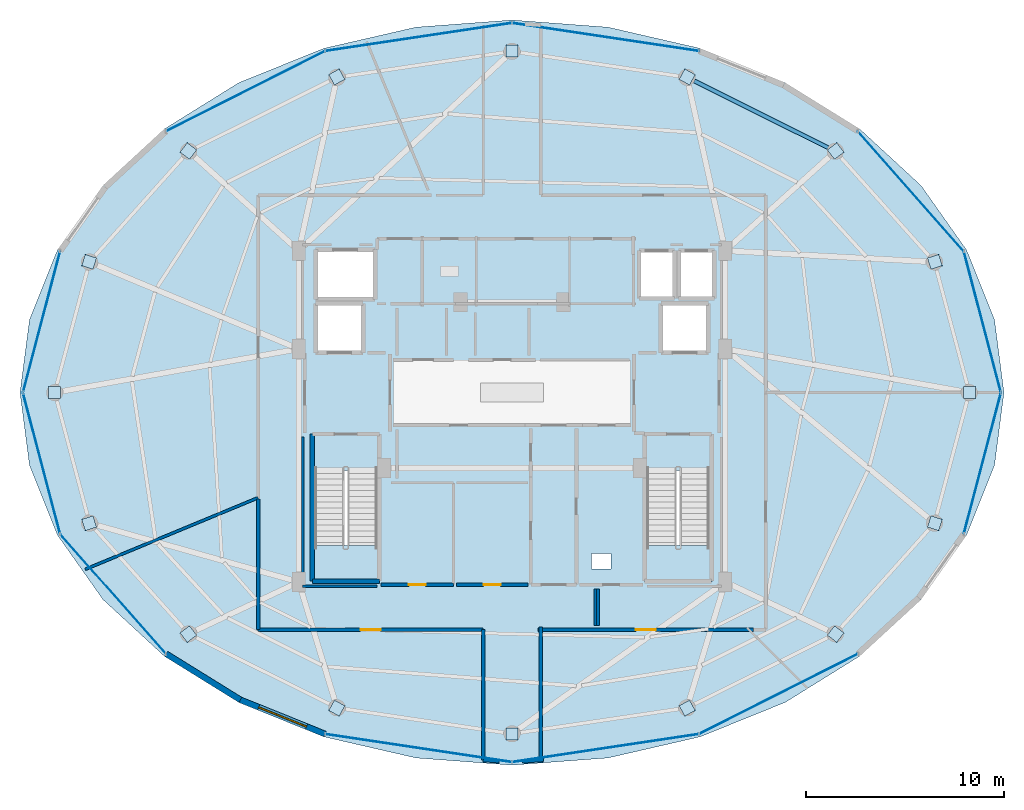
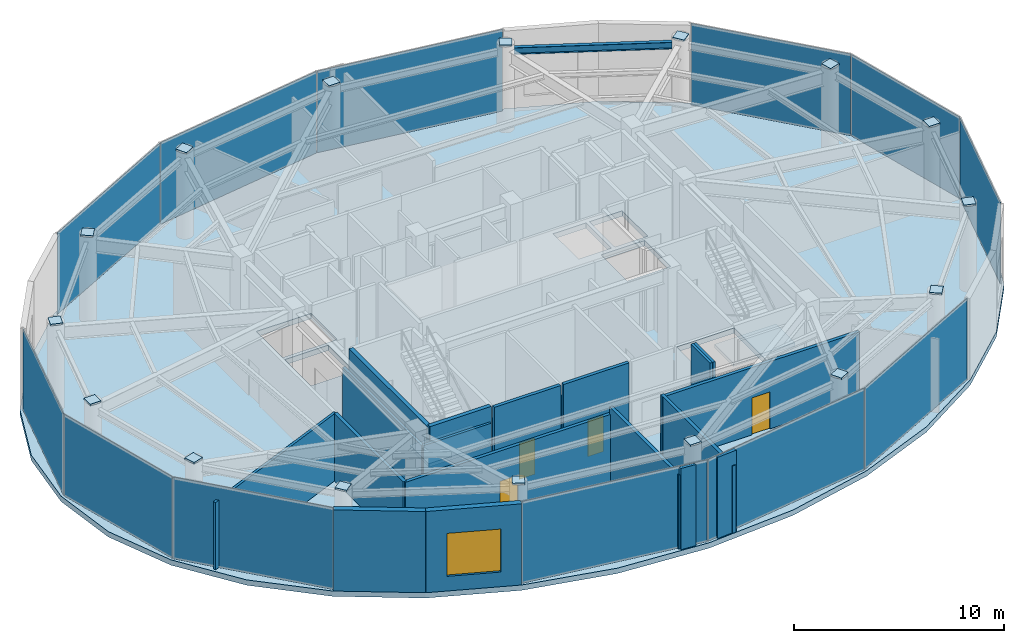
# One storey, part 19 of 24: 28 plates, 18 walls, 4 doors, 3 slabs, 1 beam, 1 window, 5 openings, 6 elements without a shape of their own.
"""IFC4 building model written with IfcOpenShell, lengths in metres."""

import ifcopenshell
import ifcopenshell.guid

model = None  # the IFC model being written
_history = None  # IfcOwnerHistory: only IFC2X3 demands one
_inside = {}  # id of a spatial element -> (the spatial element, [elements in it])
_under = {}  # id of a project, library or spatial element -> (it, [spatial elements below it])
_declared = {}  # id of a project -> (the project, [libraries it declares])
_typed = {}  # id of a type object -> (the type object, [elements of that type])
_made_of = {}  # id of a material, layer set ... -> (it, [elements and type objects made of it])


def new_model(schema):
    """Start an empty IFC model of exactly this schema.

    Asked for "IFC4X3", IfcOpenShell would pick the latest addendum, in which some entities
    have other attributes; the version numbers below select the first issue.
    IFC2X3 requires an IfcOwnerHistory on every rooted entity: one is made here for all.
    """
    global model, _history
    if schema == "IFC4X3":
        model = ifcopenshell.file(schema_version=(4, 3, 0, 0))
    else:
        model = ifcopenshell.file(schema=schema)
    _inside.clear()
    _under.clear()
    _declared.clear()
    _typed.clear()
    _made_of.clear()
    _history = None
    if model.schema == "IFC2X3":
        org = make("IfcOrganization", Name="unknown")
        user = make(
            "IfcPersonAndOrganization",
            ThePerson=make("IfcPerson", FamilyName="unknown"),
            TheOrganization=org,
        )
        app = make(
            "IfcApplication",
            ApplicationDeveloper=org,
            Version="unknown",
            ApplicationFullName="unknown",
            ApplicationIdentifier="unknown",
        )
        _history = make(
            "IfcOwnerHistory",
            OwningUser=user,
            OwningApplication=app,
            ChangeAction="ADDED",
            CreationDate=0,
        )
    return model


def make(cls, **values):
    """One entity of the class cls with the attributes given. An attribute that is None is left unset."""
    return model.create_entity(
        cls, **{name: value for name, value in values.items() if value is not None}
    )


def rooted(cls, **values):
    """An entity with a GlobalId (a new one), such as an element, a storey or a relation."""
    return make(cls, GlobalId=ifcopenshell.guid.new(), OwnerHistory=_history, **values)


def si_unit(unit_type, name, prefix=None):
    """IfcSIUnit, for example si_unit("LENGTHUNIT", "METRE", prefix="MILLI")."""
    return make("IfcSIUnit", UnitType=unit_type, Prefix=prefix, Name=name)


def assignment(units):
    """IfcUnitAssignment: the units of a project."""
    return None if units is None else make("IfcUnitAssignment", Units=units)


def point(xyz):
    """IfcCartesianPoint."""
    return None if xyz is None else make("IfcCartesianPoint", Coordinates=xyz)


def direction(xyz):
    """IfcDirection."""
    return None if xyz is None else make("IfcDirection", DirectionRatios=xyz)


def frame(location, z_axis=None, x_axis=None):
    """IfcAxis2Placement3D, a coordinate frame: its origin and axes. An axis left out is left unset."""
    return make(
        "IfcAxis2Placement3D",
        Location=point(location),
        Axis=direction(z_axis),
        RefDirection=direction(x_axis),
    )


def frame_2d(location, x_axis=None):
    """IfcAxis2Placement2D, a coordinate frame in the plane: its origin and x axis."""
    return make(
        "IfcAxis2Placement2D", Location=point(location), RefDirection=direction(x_axis)
    )


def origin():
    """The frame at (0, 0, 0) with its axes left unset."""
    return frame((0.0, 0.0, 0.0))


def origin_2d():
    """The frame at (0, 0) in the plane with its x axis left unset."""
    return frame_2d((0.0, 0.0))


def place(relative_to, where):
    """IfcLocalPlacement: puts the frame where relative to a parent placement (None: the world)."""
    return make(
        "IfcLocalPlacement", PlacementRelTo=relative_to, RelativePlacement=where
    )


def context(
    kind, dimensions, precision=None, world=None, true_north=None, identifier=None
):
    """IfcGeometricRepresentationContext, for example the 3D "Model" context."""
    return make(
        "IfcGeometricRepresentationContext",
        ContextIdentifier=identifier,
        ContextType=kind,
        CoordinateSpaceDimension=dimensions,
        Precision=precision,
        WorldCoordinateSystem=world,
        TrueNorth=true_north,
    )


def subcontext(parent, identifier, kind, view, scale=None):
    """IfcGeometricRepresentationSubContext, for example "Body" below "Model"."""
    return make(
        "IfcGeometricRepresentationSubContext",
        ContextIdentifier=identifier,
        ContextType=kind,
        ParentContext=parent,
        TargetScale=scale,
        TargetView=view,
    )


def project(units=None, contexts=None):
    """IfcProject with its units and contexts."""
    return rooted(
        "IfcProject",
        Name="project",
        RepresentationContexts=contexts,
        UnitsInContext=assignment(units),
    )


def spatial(cls, under=None, at=None, **own):
    """A site, building, storey or space (cls), placed at a placement, below another one or the project."""
    s = rooted(cls, ObjectPlacement=at, **own)
    if under is not None:
        _under.setdefault(under.id(), (under, []))[1].append(s)
    return s


def polyline(points):
    """IfcPolyline through the points."""
    return make("IfcPolyline", Points=[point(p) for p in points])


def profile(cls, at=None, kind="AREA", **sizes):
    """A parametric profile (cls). Its sizes go by their IFC names, for example OverallWidth=200.0."""
    return make(cls, ProfileType=kind, Position=at, **sizes)


def rectangle(**sizes):
    """IfcRectangleProfileDef."""
    return profile("IfcRectangleProfileDef", **sizes)


def i_section(**sizes):
    """IfcIShapeProfileDef."""
    return profile("IfcIShapeProfileDef", **sizes)


def outline(outer, holes=None, kind="AREA"):
    """IfcArbitraryClosedProfileDef: a profile drawn as a closed curve; with holes, ...WithVoids."""
    if holes is None:
        return make("IfcArbitraryClosedProfileDef", ProfileType=kind, OuterCurve=outer)
    return make(
        "IfcArbitraryProfileDefWithVoids",
        ProfileType=kind,
        OuterCurve=outer,
        InnerCurves=holes,
    )


def extrude(swept, where, along, depth):
    """IfcExtrudedAreaSolid: the profile swept, set in the frame where, extruded along a direction by depth."""
    return make(
        "IfcExtrudedAreaSolid",
        SweptArea=swept,
        Position=where,
        ExtrudedDirection=direction(along),
        Depth=depth,
    )


def shape(context_of_items, identifier, shape_type, items):
    """IfcShapeRepresentation: the items that make up one representation, for example the "Body"."""
    return make(
        "IfcShapeRepresentation",
        ContextOfItems=context_of_items,
        RepresentationIdentifier=identifier,
        RepresentationType=shape_type,
        Items=items,
    )


def material(Name=None, Category=None):
    """IfcMaterial."""
    return make("IfcMaterial", Name=Name, Category=Category)


def layer(
    of_material, thickness, ventilated=None, Name=None, Category=None, Priority=None
):
    """IfcMaterialLayer: one layer of a wall or slab, of a material (None: an air gap)."""
    return make(
        "IfcMaterialLayer",
        Material=of_material,
        LayerThickness=thickness,
        IsVentilated=ventilated,
        Name=Name,
        Category=Category,
        Priority=Priority,
    )


def layer_set(layers, Name=None):
    """IfcMaterialLayerSet."""
    return make("IfcMaterialLayerSet", MaterialLayers=layers, LayerSetName=Name)


def material_profile(
    of_material, cross_section, Name=None, Category=None, Priority=None
):
    """IfcMaterialProfile: a cross section and its material."""
    return make(
        "IfcMaterialProfile",
        Name=Name,
        Material=of_material,
        Profile=cross_section,
        Priority=Priority,
        Category=Category,
    )


def profile_set(profiles, Name=None, composite=None):
    """IfcMaterialProfileSet."""
    return make(
        "IfcMaterialProfileSet",
        Name=Name,
        MaterialProfiles=profiles,
        CompositeProfile=composite,
    )


def made_of(thing, what):
    """Note that an element or type object is made of a material, layer set ...; save() writes the relation."""
    if what is not None:
        _made_of.setdefault(what.id(), (what, []))[1].append(thing)
    return thing


def type_object(cls, material=None, **own):
    """A type object (cls), such as IfcWallType, which elements share."""
    return made_of(rooted(cls, **own), material)


def element(
    cls,
    number,
    at=None,
    inside=None,
    cuts=None,
    type_object=None,
    material=None,
    context=None,
    identifier="Body",
    shape_type=None,
    held_by="IfcProductDefinitionShape",
    body=None,
    shapes=None,
    **own,
):
    """One element of the class cls, such as IfcWall. Its Tag is "e" and its number.

    at: its placement. inside: the storey or other place that contains it. cuts: it is an
    opening in that element (IfcRelVoidsElement). A single representation is given by context,
    identifier, shape_type and body (its items); several are given by shapes. held_by: the class
    of the entity that holds the representations. save() writes the other relations.
    """
    e = rooted(cls, Tag="e%d" % number, ObjectPlacement=at, **own)
    if body is not None:
        shapes = [shape(context, identifier, shape_type, body)]
    if shapes is not None:
        e.Representation = make(held_by, Representations=shapes)
    if inside is not None:
        _inside.setdefault(inside.id(), (inside, []))[1].append(e)
    if cuts is not None:
        rooted(
            "IfcRelVoidsElement", RelatingBuildingElement=cuts, RelatedOpeningElement=e
        )
    if type_object is not None:
        _typed.setdefault(type_object.id(), (type_object, []))[1].append(e)
    return made_of(e, material)


def fill(opening, filler):
    """IfcRelFillsElement: the door or window that sits in an opening."""
    return rooted(
        "IfcRelFillsElement",
        RelatingOpeningElement=opening,
        RelatedBuildingElement=filler,
    )


def aggregate(whole, parts):
    """IfcRelAggregates: a whole, such as a stair, and the parts it consists of."""
    return rooted("IfcRelAggregates", RelatingObject=whole, RelatedObjects=parts)


def save(model, path):
    """Write the relations noted so far, then the file.

    IfcRelAggregates (storeys below a building ...), IfcRelContainedInSpatialStructure (elements
    in a storey), IfcRelDefinesByType, IfcRelAssociatesMaterial and IfcRelDeclares: one each for
    every whole, place, type object, material and project.
    """
    for whole, parts in _under.values():
        aggregate(whole, parts)
    for where, things in _inside.values():
        rooted(
            "IfcRelContainedInSpatialStructure",
            RelatedElements=things,
            RelatingStructure=where,
        )
    for kind, things in _typed.values():
        rooted("IfcRelDefinesByType", RelatedObjects=things, RelatingType=kind)
    for what, things in _made_of.values():
        rooted("IfcRelAssociatesMaterial", RelatedObjects=things, RelatingMaterial=what)
    for by, libraries in _declared.values():
        rooted("IfcRelDeclares", RelatingContext=by, RelatedDefinitions=libraries)
    model.write(path)


model = new_model("IFC4")

# Units and contexts
model_context = context("Model", 3, precision=1e-05, world=origin(), true_north=direction((0.0, 1.0)))
body_context = subcontext(model_context, "Body", "Model", "MODEL_VIEW")
ifc_project = project(units=[si_unit("LENGTHUNIT", "METRE"), si_unit("AREAUNIT", "SQUARE_METRE"), si_unit("VOLUMEUNIT", "CUBIC_METRE"), si_unit("PLANEANGLEUNIT", "RADIAN"), si_unit("MASSUNIT", "GRAM", prefix="KILO")], contexts=[model_context])

# Site, building, storey
site_placement = place(None, origin())
site = spatial("IfcSite", under=ifc_project, at=site_placement, CompositionType="ELEMENT")
building_placement = place(site_placement, origin())
building = spatial("IfcBuilding", under=site, at=building_placement, Name="Vorneva Point Tower", CompositionType="ELEMENT")
storey_placement = place(building_placement, frame((0.0, 0.0, 290.39990234375)))
storey = spatial("IfcBuildingStorey", under=building, at=storey_placement, Name="L78", CompositionType="ELEMENT", Elevation=290.39990234375)

# Beam
ifc_material_1 = material(Name="Steel S355", Category="steel")
ifc_material_profile = material_profile(ifc_material_1, i_section(OverallWidth=0.198974609375, OverallDepth=0.39599609375, WebThickness=0.007080078125, FlangeThickness=0.010986328125, at=origin_2d()), Name="40B1")
ifc_profile_set = profile_set([ifc_material_profile], Name="Steel S355")
beam_type = type_object("IfcBeamType", Name="BM-SPN-40B1", PredefinedType="SPANDREL", material=ifc_profile_set)
beam_placement = place(storey_placement, frame((53.931884765625, 38.34521484375, 4.522216796875), z_axis=(-0.894932011528, 0.446202526599, 0.0), x_axis=(-0.446202526599, -0.894932011528, 0.0)))
element("IfcBeam", 1, at=beam_placement, inside=storey, type_object=beam_type, Name="L78 Perimeter Spandrel Ring Beam 03", PredefinedType="SPANDREL", context=body_context, shape_type="SweptSolid", body=[
    extrude(i_section(OverallWidth=0.198974609375, OverallDepth=0.39599609375, WebThickness=0.007080078125, FlangeThickness=0.010986328125, at=origin_2d()), origin(), (0.0, 0.0, 1.0), 7.535888671875),
])

# Curtain wall, plates
ifc_material_2 = material(Name="Pale anodised aluminium", Category="aluminium")
curtain_wall_type = type_object("IfcCurtainWallType", Name="CW-OBS-SYS", PredefinedType="NOTDEFINED", material=ifc_material_2)
curtain_wall_1_placement = place(storey_placement, origin())
curtain_wall_1 = element("IfcCurtainWall", 2, at=curtain_wall_1_placement, inside=storey, type_object=curtain_wall_type, Name="L78 Unitised Curtain Wall CW-L78-R01", PredefinedType="NOTDEFINED")
ifc_material_3 = material(Name="Double low-e laminated glass IGU", Category="glass")
ifc_layer_1 = layer(ifc_material_3, 0.035888671875)
ifc_layer_set_1 = layer_set([ifc_layer_1], Name="Double low-e laminated glass IGU")
plate_type_1 = type_object("IfcPlateType", Name="CW-PNL-VIS", PredefinedType="CURTAIN_PANEL", material=ifc_layer_set_1)
plate_1_placement = place(storey_placement, frame((61.7119140625, 22.435302734375, -0.02001953125), z_axis=(0.0, 0.0, 1.0), x_axis=(0.254517556558, 0.967068153443, 0.0)))
plate_1 = element("IfcPlate", 3, at=plate_1_placement, type_object=plate_type_1, Name="CW-L78-R01 Glazed Panel 01", PredefinedType="CURTAIN_PANEL", context=body_context, shape_type="SweptSolid", body=[
    extrude(rectangle(XDim=7.322265625, YDim=0.035888671875, at=origin_2d()), origin(), (0.0, 0.0, 1.0), 4.760009765625),
])
plate_2_placement = place(storey_placement, frame((61.7119140625, 29.564697265625, -0.02001953125), z_axis=(0.0, 0.0, 1.0), x_axis=(-0.254517556558, 0.967068153443, 0.0)))
plate_2 = element("IfcPlate", 4, at=plate_2_placement, type_object=plate_type_1, Name="CW-L78-R01 Glazed Panel 02", PredefinedType="CURTAIN_PANEL", context=body_context, shape_type="SweptSolid", body=[
    extrude(rectangle(XDim=7.322265625, YDim=0.035888671875, at=origin_2d()), origin(), (0.0, 0.0, 1.0), 4.760009765625),
])
plate_3_placement = place(storey_placement, frame((58.101806640625, 36.1513671875, -0.02001953125), z_axis=(0.0, 0.0, 1.0), x_axis=(-0.662345497106, 0.74919853341, 0.0)))
plate_3 = element("IfcPlate", 5, at=plate_3_placement, type_object=plate_type_1, Name="CW-L78-R01 Glazed Panel 03", PredefinedType="CURTAIN_PANEL", context=body_context, shape_type="SweptSolid", body=[
    extrude(rectangle(XDim=8.017333984375, YDim=0.035888671875, at=origin_2d()), origin(), (0.0, 0.0, 1.0), 4.760009765625),
])
aggregate(curtain_wall_1, [plate_1, plate_2, plate_3])

curtain_wall_2_placement = place(storey_placement, origin())
curtain_wall_2 = element("IfcCurtainWall", 6, at=curtain_wall_2_placement, inside=storey, type_object=curtain_wall_type, Name="L78 Unitised Curtain Wall CW-L78-R02", PredefinedType="NOTDEFINED")
plate_4_placement = place(storey_placement, frame((42.716552734375, 43.9208984375, -0.02001953125), z_axis=(0.0, 0.0, 1.0), x_axis=(-0.988889093417, 0.148655174549, 0.0)))
plate_4 = element("IfcPlate", 7, at=plate_4_placement, type_object=plate_type_1, Name="CW-L78-R02 Glazed Panel 01", PredefinedType="CURTAIN_PANEL", context=body_context, shape_type="SweptSolid", body=[
    extrude(rectangle(XDim=9.489013671875, YDim=0.035888671875, at=origin_2d()), origin(), (0.0, 0.0, 1.0), 4.760009765625),
])
plate_5_placement = place(storey_placement, frame((33.283447265625, 43.9208984375, -0.02001953125), z_axis=(0.0, 0.0, 1.0), x_axis=(-0.988889093417, -0.148655174549, 0.0)))
plate_5 = element("IfcPlate", 8, at=plate_5_placement, type_object=plate_type_1, Name="CW-L78-R02 Glazed Panel 02", PredefinedType="CURTAIN_PANEL", context=body_context, shape_type="SweptSolid", body=[
    extrude(rectangle(XDim=9.489013671875, YDim=0.035888671875, at=origin_2d()), origin(), (0.0, 0.0, 1.0), 4.760009765625),
])
plate_6_placement = place(storey_placement, frame((24.568359375, 41.192626953125, -0.02001953125), z_axis=(0.0, 0.0, 1.0), x_axis=(-0.892633029344, -0.450784066849, 0.0)))
plate_6 = element("IfcPlate", 9, at=plate_6_placement, type_object=plate_type_1, Name="CW-L78-R02 Glazed Panel 03", PredefinedType="CURTAIN_PANEL", context=body_context, shape_type="SweptSolid", body=[
    extrude(rectangle(XDim=8.908935546875, YDim=0.035888671875, at=origin_2d()), origin(), (0.0, 0.0, 1.0), 4.760009765625),
])
aggregate(curtain_wall_2, [plate_4, plate_5, plate_6])

curtain_wall_3_placement = place(storey_placement, origin())
curtain_wall_3 = element("IfcCurtainWall", 10, at=curtain_wall_3_placement, inside=storey, type_object=curtain_wall_type, Name="L78 Unitised Curtain Wall CW-L78-R03", PredefinedType="NOTDEFINED")
plate_7_placement = place(storey_placement, frame((14.2880859375, 29.564697265625, -0.02001953125), z_axis=(0.0, 0.0, 1.0), x_axis=(-0.254517556558, -0.967068153443, 0.0)))
plate_7 = element("IfcPlate", 11, at=plate_7_placement, type_object=plate_type_1, Name="CW-L78-R03 Glazed Panel 01", PredefinedType="CURTAIN_PANEL", context=body_context, shape_type="SweptSolid", body=[
    extrude(rectangle(XDim=7.322265625, YDim=0.035888671875, at=origin_2d()), origin(), (0.0, 0.0, 1.0), 4.760009765625),
])
plate_8_placement = place(storey_placement, frame((14.2880859375, 22.435302734375, -0.02001953125), z_axis=(0.0, 0.0, 1.0), x_axis=(0.254517556558, -0.967068153443, 0.0)))
plate_8 = element("IfcPlate", 12, at=plate_8_placement, type_object=plate_type_1, Name="CW-L78-R03 Glazed Panel 02", PredefinedType="CURTAIN_PANEL", context=body_context, shape_type="SweptSolid", body=[
    extrude(rectangle(XDim=7.322265625, YDim=0.035888671875, at=origin_2d()), origin(), (0.0, 0.0, 1.0), 4.760009765625),
])
plate_9_placement = place(storey_placement, frame((17.898193359375, 15.8486328125, -0.02001953125), z_axis=(0.0, 0.0, 1.0), x_axis=(0.662345497106, -0.74919853341, 0.0)))
plate_9 = element("IfcPlate", 13, at=plate_9_placement, type_object=plate_type_1, Name="CW-L78-R03 Glazed Panel 03", PredefinedType="CURTAIN_PANEL", context=body_context, shape_type="SweptSolid", body=[
    extrude(rectangle(XDim=8.017333984375, YDim=0.035888671875, at=origin_2d()), origin(), (0.0, 0.0, 1.0), 4.760009765625),
])
aggregate(curtain_wall_3, [plate_7, plate_8, plate_9])

curtain_wall_4_placement = place(storey_placement, origin())
curtain_wall_4 = element("IfcCurtainWall", 14, at=curtain_wall_4_placement, inside=storey, type_object=curtain_wall_type, Name="L78 Unitised Curtain Wall CW-L78-R04", PredefinedType="NOTDEFINED")
plate_10_placement = place(storey_placement, frame((33.283447265625, 8.0791015625, -0.02001953125), z_axis=(0.0, 0.0, 1.0), x_axis=(0.988889093417, -0.148655174549, 0.0)))
plate_10 = element("IfcPlate", 15, at=plate_10_placement, type_object=plate_type_1, Name="CW-L78-R04 Glazed Panel 01", PredefinedType="CURTAIN_PANEL", context=body_context, shape_type="SweptSolid", body=[
    extrude(rectangle(XDim=9.489013671875, YDim=0.035888671875, at=origin_2d()), origin(), (0.0, 0.0, 1.0), 4.760009765625),
])
plate_11_placement = place(storey_placement, frame((42.716552734375, 8.0791015625, -0.02001953125), z_axis=(0.0, 0.0, 1.0), x_axis=(0.988889093417, 0.148655174549, 0.0)))
plate_11 = element("IfcPlate", 16, at=plate_11_placement, type_object=plate_type_1, Name="CW-L78-R04 Glazed Panel 02", PredefinedType="CURTAIN_PANEL", context=body_context, shape_type="SweptSolid", body=[
    extrude(rectangle(XDim=9.489013671875, YDim=0.035888671875, at=origin_2d()), origin(), (0.0, 0.0, 1.0), 4.760009765625),
])
plate_12_placement = place(storey_placement, frame((51.431640625, 10.807373046875, -0.02001953125), z_axis=(0.0, 0.0, 1.0), x_axis=(0.892633029344, 0.450784066849, 0.0)))
plate_12 = element("IfcPlate", 17, at=plate_12_placement, type_object=plate_type_1, Name="CW-L78-R04 Glazed Panel 03", PredefinedType="CURTAIN_PANEL", context=body_context, shape_type="SweptSolid", body=[
    extrude(rectangle(XDim=8.908935546875, YDim=0.035888671875, at=origin_2d()), origin(), (0.0, 0.0, 1.0), 4.760009765625),
])
aggregate(curtain_wall_4, [plate_10, plate_11, plate_12])

# Plates
ifc_layer_2 = layer(ifc_material_1, 0.02392578125)
ifc_layer_set_2 = layer_set([ifc_layer_2], Name="Steel S355")
plate_type_2 = type_object("IfcPlateType", Name="PLT-CAP-EXT", PredefinedType="USERDEFINED", material=ifc_layer_set_2)
for number, where, z_axis, x_axis, name in (
    (18, (61.07080078125, 26.0, 4.93017578125), (0.0, 0.0, 1.0), (-1.0, 0.0, 0.0), "Crown Tapered Frame Rib C01-01 end closure plate 1"),
    (19, (59.314697265625, 32.58837890625, 4.93017578125), (0.0, 0.0, 1.0), (-0.953601417707, -0.301071978348, 0.0), "Crown Tapered Frame Rib C01-02 end closure plate 1"),
    (20, (54.314208984375, 38.173828125, 4.92919921875), (0.0, 0.0, 1.0), (-0.79532538621, -0.606182753012, 0.0), "Crown Tapered Frame Rib C01-03 end closure plate 1"),
    (21, (46.82958984375, 41.90673828125, 4.92822265625), (0.0, 0.0, 1.0), (-0.477526836439, -0.878617163775, 0.0), "Crown Tapered Frame Rib C01-04 end closure plate 1"),
    (22, (38.0, 43.217529296875, 4.927734375), (0.0, 0.0, 1.0), (0.0, -1.0, 0.0), "Crown Tapered Frame Rib C01-05 end closure plate 1"),
    (23, (29.17041015625, 41.90673828125, 4.92822265625), (0.0, 0.0, 1.0), (0.477526836439, -0.878617163775, 0.0), "Crown Tapered Frame Rib C01-06 end closure plate 1"),
    (24, (21.685791015625, 38.173828125, 4.92919921875), (0.0, 0.0, 1.0), (0.79532538621, -0.606182753012, 0.0), "Crown Tapered Frame Rib C01-07 end closure plate 1"),
    (25, (16.685302734375, 32.58837890625, 4.93017578125), (0.0, 0.0, 1.0), (0.953601417707, -0.301071978348, 0.0), "Crown Tapered Frame Rib C01-08 end closure plate 1"),
    (26, (14.92919921875, 26.0, 4.93017578125), (0.0, 0.0, 1.0), (1.0, 0.0, 0.0), "Crown Tapered Frame Rib C01-09 end closure plate 1"),
    (27, (16.685302734375, 19.41162109375, 4.93017578125), (0.0, 0.0, 1.0), (0.953601417707, 0.301071978348, 0.0), "Crown Tapered Frame Rib C01-10 end closure plate 1"),
    (28, (21.685791015625, 13.826171875, 4.92919921875), (0.0, 0.0, 1.0), (0.79532538621, 0.606182753012, 0.0), "Crown Tapered Frame Rib C01-11 end closure plate 1"),
    (29, (29.17041015625, 10.09326171875, 4.92822265625), (0.0, 0.0, 1.0), (0.477526836439, 0.878617163775, 0.0), "Crown Tapered Frame Rib C01-12 end closure plate 1"),
    (30, (38.0, 8.782470703125, 4.927734375), (0.0, 0.0, 1.0), (0.0, 1.0, 0.0), "Crown Tapered Frame Rib C01-13 end closure plate 1"),
    (31, (46.82958984375, 10.09326171875, 4.92822265625), (0.0, 0.0, 1.0), (-0.477526836439, 0.878617163775, 0.0), "Crown Tapered Frame Rib C01-14 end closure plate 1"),
    (32, (54.314208984375, 13.826171875, 4.92919921875), (0.0, 0.0, 1.0), (-0.79532538621, 0.606182753012, 0.0), "Crown Tapered Frame Rib C01-15 end closure plate 1"),
    (33, (59.314697265625, 19.41162109375, 4.93017578125), (0.0, 0.0, 1.0), (-0.953601417707, 0.301071978348, 0.0), "Crown Tapered Frame Rib C01-16 end closure plate 1"),
):
    element("IfcPlate", number, at=place(storey_placement, frame(where, z_axis=z_axis, x_axis=x_axis)), inside=storey, type_object=plate_type_2, Name=name, ObjectType="BASE PLATE", PredefinedType="USERDEFINED", context=body_context, shape_type="SweptSolid", body=[
        extrude(rectangle(XDim=0.60009765625, YDim=0.60009765625, at=origin_2d()), origin(), (0.0, 0.0, 1.0), 0.095947265625),
    ])

# Stair, slab
ifc_material_4 = material(Name="Concrete B50 (C40/50)", Category="concrete")
stair_type = type_object("IfcStairType", Name="ST-DOG-1500", PredefinedType="HALF_TURN_STAIR", material=ifc_material_4)
stair_1_placement = place(storey_placement, origin())
stair_1 = element("IfcStair", 34, at=stair_1_placement, inside=storey, type_object=stair_type, Name="L78 ST1", PredefinedType="HALF_TURN_STAIR")
ifc_layer_3 = layer(ifc_material_4, 0.199951171875)
ifc_layer_set_3 = layer_set([ifc_layer_3], Name="Concrete B50 (C40/50)")
slab_type_1 = type_object("IfcSlabType", Name="SLB-LND-200", PredefinedType="LANDING", material=ifc_layer_set_3)
slab_1_placement = place(storey_placement, frame((0.0, 0.0, 2.300048828125)))
slab_1 = element("IfcSlab", 35, at=slab_1_placement, type_object=slab_type_1, Name="ST1 landing 1", PredefinedType="LANDING", context=body_context, shape_type="SweptSolid", body=[
    extrude(outline(polyline([(27.929931640625, 16.47998046875), (31.320068359375, 16.47998046875), (31.320068359375, 18.280029296875), (27.929931640625, 18.280029296875), (27.929931640625, 16.47998046875)])), origin(), (0.0, 0.0, 1.0), 0.199951171875),
])
aggregate(stair_1, [slab_1])

stair_2_placement = place(storey_placement, origin())
stair_2 = element("IfcStair", 36, at=stair_2_placement, inside=storey, type_object=stair_type, Name="L78 ST2", PredefinedType="HALF_TURN_STAIR")
slab_2_placement = place(storey_placement, frame((0.0, 0.0, 2.300048828125)))
slab_2 = element("IfcSlab", 37, at=slab_2_placement, type_object=slab_type_1, Name="ST2 landing 1", PredefinedType="LANDING", context=body_context, shape_type="SweptSolid", body=[
    extrude(outline(polyline([(44.679931640625, 16.47998046875), (48.070068359375, 16.47998046875), (48.070068359375, 18.280029296875), (44.679931640625, 18.280029296875), (44.679931640625, 16.47998046875)])), origin(), (0.0, 0.0, 1.0), 0.199951171875),
])
aggregate(stair_2, [slab_2])

# Slab
ifc_layer_4 = layer(ifc_material_4, 0.31005859375)
ifc_layer_set_4 = layer_set([ifc_layer_4], Name="Concrete B50 (C40/50)")
slab_type_2 = type_object("IfcSlabType", Name="SLB-OBS-310", PredefinedType="FLOOR", material=ifc_layer_set_4)
slab_3_placement = place(storey_placement, frame((0.0, 0.0, -0.309814453125)))
element("IfcSlab", 38, at=slab_3_placement, inside=storey, type_object=slab_type_2, Name="L78 Structural Floor Plate", PredefinedType="FLOOR", context=body_context, shape_type="SweptSolid", body=[
    extrude(outline(polyline([(62.800048828125, 26.0), (62.323486328125, 29.663818359375), (60.912109375, 33.186767578125), (58.620361328125, 36.43359375), (55.5361328125, 39.279541015625), (51.778076171875, 41.614990234375), (47.490478515625, 43.3505859375), (42.838134765625, 44.419189453125), (38.0, 44.780029296875), (33.161865234375, 44.419189453125), (28.509521484375, 43.3505859375), (24.221923828125, 41.614990234375), (20.4638671875, 39.279541015625), (17.379638671875, 36.43359375), (15.087890625, 33.186767578125), (13.676513671875, 29.663818359375), (13.199951171875, 26.0), (13.676513671875, 22.336181640625), (15.087890625, 18.813232421875), (17.379638671875, 15.56640625), (20.4638671875, 12.720458984375), (24.221923828125, 10.385009765625), (28.509521484375, 8.6494140625), (33.161865234375, 7.580810546875), (38.0, 7.219970703125), (42.838134765625, 7.580810546875), (47.490478515625, 8.6494140625), (51.778076171875, 10.385009765625), (55.5361328125, 12.720458984375), (58.620361328125, 15.56640625), (60.912109375, 18.813232421875), (62.323486328125, 22.336181640625), (62.800048828125, 26.0)]), holes=[polyline([(44.39990234375, 30.739990234375), (46.199951171875, 30.739990234375), (46.199951171875, 33.159912109375), (44.39990234375, 33.159912109375), (44.39990234375, 30.739990234375)]), polyline([(46.39990234375, 30.739990234375), (48.199951171875, 30.739990234375), (48.199951171875, 33.159912109375), (46.39990234375, 33.159912109375), (46.39990234375, 30.739990234375)]), polyline([(28.10009765625, 28.0), (30.5, 28.0), (30.5, 30.5), (28.10009765625, 30.5), (28.10009765625, 28.0)]), polyline([(45.5, 28.0), (47.89990234375, 28.0), (47.89990234375, 30.5), (45.5, 30.5), (45.5, 28.0)]), polyline([(28.10009765625, 30.699951171875), (31.10009765625, 30.699951171875), (31.10009765625, 33.199951171875), (28.10009765625, 33.199951171875), (28.10009765625, 30.699951171875)]), polyline([(28.050048828125, 16.60009765625), (31.199951171875, 16.60009765625), (31.199951171875, 22.080078125), (28.050048828125, 22.080078125), (28.050048828125, 16.60009765625)]), polyline([(44.800048828125, 16.60009765625), (47.949951171875, 16.60009765625), (47.949951171875, 22.080078125), (44.800048828125, 22.080078125), (44.800048828125, 16.60009765625)]), polyline([(42.0, 17.10009765625), (43.0, 17.10009765625), (43.0, 17.89990234375), (42.0, 17.89990234375), (42.0, 17.10009765625)])]), origin(), (0.0, 0.0, 1.0), 0.309814453125),
])

# Wall
ifc_material_5 = material(Name="Precast concrete B50 (C40/50)", Category="concrete")
ifc_layer_5 = layer(ifc_material_5, 0.300048828125)
ifc_layer_set_5 = layer_set([ifc_layer_5], Name="Precast concrete B50 (C40/50)")
wall_type_1 = type_object("IfcWallType", Name="WL-EXT-300", PredefinedType="STANDARD", material=ifc_layer_set_5)
wall_1_placement = place(storey_placement, frame((20.56982421875, 12.82666015625, 0.0), z_axis=(0.0, 0.0, 1.0), x_axis=(0.849803177952, -0.527100141096, 0.0)))
element("IfcWall", 39, at=wall_1_placement, inside=storey, type_object=wall_type_1, Name="L78 Pale-Metal Facade Spandrel Wall 11.1", PredefinedType="STANDARD", context=body_context, shape_type="SweptSolid", body=[
    extrude(rectangle(XDim=4.3955078125, YDim=0.300048828125, at=frame_2d((2.19775390625, 0.0))), origin(), (0.0, 0.0, 1.0), 4.72021484375),
])

# Wall, opening, window
wall_2_placement = place(storey_placement, frame((24.30517578125, 10.509765625, 0.0), z_axis=(0.0, 0.0, 1.0), x_axis=(0.927196432407, -0.374575460663, 0.0)))
wall_2 = element("IfcWall", 40, at=wall_2_placement, inside=storey, type_object=wall_type_1, Name="L78 Pale-Metal Facade Spandrel Wall 11.2", PredefinedType="STANDARD", context=body_context, shape_type="SweptSolid", body=[
    extrude(rectangle(XDim=4.596435546875, YDim=0.300048828125, at=frame_2d((2.29833984375, 0.0))), origin(), (0.0, 0.0, 1.0), 4.72021484375),
])
opening_1_placement = place(wall_2_placement, frame((0.998291015625, 0.0, 0.85009765625)))
opening_1 = element("IfcOpeningElement", 41, at=opening_1_placement, cuts=wall_2, Name="Opening W-06", PredefinedType="OPENING", context=body_context, shape_type="SweptSolid", body=[
    extrude(rectangle(XDim=2.60009765625, YDim=2.5, at=frame_2d((1.300048828125, 1.25))), frame((0.0, 0.1650390625, 0.0), z_axis=(0.0, -1.0, 0.0), x_axis=(1.0, 0.0, 0.0)), (0.0, 0.0, 1.0), 0.329833984375),
])
window_type = type_object("IfcWindowType", Name="WN-OBS-2600", PartitioningType="SINGLE_PANEL", PredefinedType="WINDOW", material=ifc_material_3)
window_placement = place(opening_1_placement, origin())
window = element("IfcWindow", 42, at=window_placement, inside=storey, type_object=window_type, Name="L78 Facade Window 11", OverallHeight=2.5, OverallWidth=2.60009765625, PartitioningType="SINGLE_PANEL", PredefinedType="WINDOW", context=body_context, shape_type="SweptSolid", body=[
    extrude(rectangle(XDim=2.60009765625, YDim=2.5, at=frame_2d((1.300048828125, 1.25))), frame((0.0, 0.030029296875, 0.0), z_axis=(0.0, -1.0, 0.0), x_axis=(1.0, 0.0, 0.0)), (0.0, 0.0, 1.0), 0.06005859375),
])
fill(opening_1, window)

# Walls
ifc_material_6 = material(Name="Fire-rated acoustic gypsum stud partition", Category="gypsum")
ifc_layer_6 = layer(ifc_material_6, 0.139892578125)
ifc_layer_set_6 = layer_set([ifc_layer_6], Name="Fire-rated acoustic gypsum stud partition")
wall_type_2 = type_object("IfcWallType", Name="WL-PART-140", PredefinedType="PARTITIONING", material=ifc_layer_set_6)
wall_3_placement = place(storey_placement, frame((16.488037109375, 17.089111328125, 0.0), z_axis=(0.0, 0.0, 1.0), x_axis=(0.923868518156, 0.382710022289, 0.0)))
element("IfcWall", 43, at=wall_3_placement, inside=storey, type_object=wall_type_2, Name="L78 Interior Partition 049", PredefinedType="PARTITIONING", context=body_context, shape_type="SweptSolid", body=[
    extrude(rectangle(XDim=9.429931640625, YDim=0.139892578125, at=frame_2d((4.71484375, 0.0))), origin(), (0.0, 0.0, 1.0), 3.912109375),
])
wall_4_placement = place(storey_placement, frame((42.340087890625, 14.27001953125, 0.0), z_axis=(0.0, 0.0, 1.0), x_axis=(0.0, 1.0, 0.0)))
element("IfcWall", 44, at=wall_4_placement, inside=storey, type_object=wall_type_2, Name="L78 Interior Closure Partition 066", PredefinedType="PARTITIONING", context=body_context, shape_type="SweptSolid", body=[
    extrude(rectangle(XDim=1.830078125, YDim=0.139892578125, at=frame_2d((0.9150390625, 0.0))), origin(), (0.0, 0.0, 1.0), 4.72021484375),
])
wall_5_placement = place(storey_placement, frame((27.449951171875, 23.75390625, 0.0), z_axis=(0.0, 0.0, 1.0), x_axis=(0.0, -1.0, 0.0)))
element("IfcWall", 45, at=wall_5_placement, inside=storey, type_object=wall_type_2, Name="L78 Interior Closure Partition 075", PredefinedType="PARTITIONING", context=body_context, shape_type="SweptSolid", body=[
    extrude(rectangle(XDim=7.513916015625, YDim=0.139892578125, at=frame_2d((3.7568359375, 0.0))), origin(), (0.0, 0.0, 1.0), 3.912109375),
])
wall_6_placement = place(storey_placement, frame((27.449951171875, 16.239990234375, 0.0), z_axis=(0.0, 0.0, 1.0), x_axis=(1.0, 0.0, 0.0)))
element("IfcWall", 46, at=wall_6_placement, inside=storey, type_object=wall_type_2, Name="L78 Interior Closure Partition 076", PredefinedType="PARTITIONING", context=body_context, shape_type="SweptSolid", body=[
    extrude(rectangle(XDim=3.7451171875, YDim=0.139892578125, at=frame_2d((1.87255859375, 0.0))), origin(), (0.0, 0.0, 1.0), 3.912109375),
])
wall_7_placement = place(storey_placement, frame((42.199951171875, 16.10009765625, 0.0), z_axis=(0.0, 0.0, 1.0), x_axis=(0.0, -1.0, 0.0)))
element("IfcWall", 47, at=wall_7_placement, inside=storey, type_object=wall_type_2, Name="L78 Interior Closure Partition 077", PredefinedType="PARTITIONING", context=body_context, shape_type="SweptSolid", body=[
    extrude(rectangle(XDim=1.830078125, YDim=0.139892578125, at=frame_2d((0.9150390625, 0.0))), origin(), (0.0, 0.0, 1.0), 4.72021484375),
])

# Wall, opening, door
ifc_material_7 = material(Name="Autoclaved aerated concrete blockwork", Category="masonry")
ifc_layer_7 = layer(ifc_material_7, 0.179931640625)
ifc_layer_set_7 = layer_set([ifc_layer_7], Name="Autoclaved aerated concrete blockwork")
wall_type_3 = type_object("IfcWallType", Name="WL-PART-180", PredefinedType="PARTITIONING", material=ifc_layer_set_7)
wall_8_placement = place(storey_placement, frame((31.39990234375, 16.320068359375, 0.0), z_axis=(0.0, 0.0, 1.0), x_axis=(1.0, 0.0, 0.0)))
wall_8 = element("IfcWall", 48, at=wall_8_placement, inside=storey, type_object=wall_type_3, Name="L78 Interior Partition 030", PredefinedType="PARTITIONING", context=body_context, shape_type="SweptSolid", body=[
    extrude(rectangle(XDim=3.650146484375, YDim=0.179931640625, at=frame_2d((1.8251953125, 0.0))), origin(), (0.0, 0.0, 1.0), 4.72021484375),
])
opening_2_placement = place(wall_8_placement, frame((1.39990234375, 0.0, 0.0)))
opening_2 = element("IfcOpeningElement", 49, at=opening_2_placement, cuts=wall_8, Name="Opening ID-02", PredefinedType="OPENING", context=body_context, shape_type="SweptSolid", body=[
    extrude(rectangle(XDim=0.85009765625, YDim=2.10009765625, at=frame_2d((0.425048828125, 1.050048828125))), frame((0.0, 0.10498046875, 0.0), z_axis=(0.0, -1.0, 0.0), x_axis=(1.0, 0.0, 0.0)), (0.0, 0.0, 1.0), 0.209716796875),
])
ifc_material_8 = material(Name="Engineered oak fire-rated door leaf", Category="wood")
door_type_1 = type_object("IfcDoorType", Name="DR-BATH-850", OperationType="NOTDEFINED", PredefinedType="DOOR", material=ifc_material_8)
door_1_placement = place(opening_2_placement, origin())
door_1 = element("IfcDoor", 50, at=door_1_placement, inside=storey, type_object=door_type_1, Name="L78 Door Cleaners Store / L78 Circulation Corridor", OperationType="SINGLE_SWING_LEFT", OverallHeight=2.10009765625, OverallWidth=0.85009765625, PredefinedType="DOOR", context=body_context, shape_type="SweptSolid", body=[
    extrude(rectangle(XDim=0.85009765625, YDim=2.10009765625, at=frame_2d((0.425048828125, 1.050048828125))), frame((0.0, 0.02490234375, 0.0), z_axis=(0.0, -1.0, 0.0), x_axis=(1.0, 0.0, 0.0)), (0.0, 0.0, 1.0), 0.050048828125),
])
fill(opening_2, door_1)

wall_9_placement = place(storey_placement, frame((35.199951171875, 16.320068359375, 0.0), z_axis=(0.0, 0.0, 1.0), x_axis=(1.0, 0.0, 0.0)))
wall_9 = element("IfcWall", 51, at=wall_9_placement, inside=storey, type_object=wall_type_3, Name="L78 Interior Partition 032", PredefinedType="PARTITIONING", context=body_context, shape_type="SweptSolid", body=[
    extrude(rectangle(XDim=3.60009765625, YDim=0.179931640625, at=frame_2d((1.800048828125, 0.0))), origin(), (0.0, 0.0, 1.0), 4.72021484375),
])
opening_3_placement = place(wall_9_placement, frame((1.375, 0.0, 0.0)))
opening_3 = element("IfcOpeningElement", 52, at=opening_3_placement, cuts=wall_9, Name="Opening ID-02", PredefinedType="OPENING", context=body_context, shape_type="SweptSolid", body=[
    extrude(rectangle(XDim=0.85009765625, YDim=2.10009765625, at=frame_2d((0.425048828125, 1.050048828125))), frame((0.0, 0.10498046875, 0.0), z_axis=(0.0, -1.0, 0.0), x_axis=(1.0, 0.0, 0.0)), (0.0, 0.0, 1.0), 0.209716796875),
])
door_2_placement = place(opening_3_placement, origin())
door_2 = element("IfcDoor", 53, at=door_2_placement, inside=storey, type_object=door_type_1, Name="L78 Door Tenant Equipment Store / L78 Circulation Corridor", OperationType="SINGLE_SWING_RIGHT", OverallHeight=2.10009765625, OverallWidth=0.85009765625, PredefinedType="DOOR", context=body_context, shape_type="SweptSolid", body=[
    extrude(rectangle(XDim=0.85009765625, YDim=2.10009765625, at=frame_2d((0.425048828125, 1.050048828125))), frame((0.0, 0.02490234375, 0.0), z_axis=(0.0, -1.0, 0.0), x_axis=(1.0, 0.0, 0.0)), (0.0, 0.0, 1.0), 0.050048828125),
])
fill(opening_3, door_2)

# Wall
wall_10_placement = place(storey_placement, frame((25.199951171875, 20.633056640625, 0.0), z_axis=(0.0, 0.0, 1.0), x_axis=(0.0, -1.0, 0.0)))
element("IfcWall", 54, at=wall_10_placement, inside=storey, type_object=wall_type_3, Name="L78 Interior Partition 039", PredefinedType="PARTITIONING", context=body_context, shape_type="SweptSolid", body=[
    extrude(rectangle(XDim=6.5830078125, YDim=0.179931640625, at=frame_2d((3.29150390625, 0.0))), origin(), (0.0, 0.0, 1.0), 3.912109375),
])

# Wall, opening, door
wall_11_placement = place(storey_placement, frame((25.199951171875, 14.050048828125, 0.0), z_axis=(0.0, 0.0, 1.0), x_axis=(1.0, 0.0, 0.0)))
wall_11 = element("IfcWall", 55, at=wall_11_placement, inside=storey, type_object=wall_type_3, Name="L78 Interior Partition 040", PredefinedType="PARTITIONING", context=body_context, shape_type="SweptSolid", body=[
    extrude(rectangle(XDim=11.35009765625, YDim=0.179931640625, at=frame_2d((5.675048828125, 0.0))), origin(), (0.0, 0.0, 1.0), 3.912109375),
])
opening_4_placement = place(wall_11_placement, frame((5.175048828125, 0.0, 0.0)))
opening_4 = element("IfcOpeningElement", 56, at=opening_4_placement, cuts=wall_11, Name="Opening UD-01", PredefinedType="OPENING", context=body_context, shape_type="SweptSolid", body=[
    extrude(rectangle(XDim=1.0, YDim=2.14990234375, at=frame_2d((0.5, 1.074951171875))), frame((0.0, 0.10498046875, 0.0), z_axis=(0.0, -1.0, 0.0), x_axis=(1.0, 0.0, 0.0)), (0.0, 0.0, 1.0), 0.209716796875),
])
door_type_2 = type_object("IfcDoorType", Name="DR-UNIT-1000", OperationType="NOTDEFINED", PredefinedType="DOOR", material=ifc_material_8)
door_3_placement = place(opening_4_placement, origin())
door_3 = element("IfcDoor", 57, at=door_3_placement, inside=storey, type_object=door_type_2, Name="L78 Door L78 Circulation Corridor / Private Horizon Dining Suite", OperationType="SINGLE_SWING_LEFT", OverallHeight=2.14990234375, OverallWidth=1.0, PredefinedType="DOOR", context=body_context, shape_type="SweptSolid", body=[
    extrude(rectangle(XDim=1.0, YDim=2.14990234375, at=frame_2d((0.5, 1.074951171875))), frame((0.0, 0.02490234375, 0.0), z_axis=(0.0, -1.0, 0.0), x_axis=(1.0, 0.0, 0.0)), (0.0, 0.0, 1.0), 0.050048828125),
])
fill(opening_4, door_3)

# Walls
wall_12_placement = place(storey_placement, frame((36.550048828125, 14.050048828125, 0.0), z_axis=(0.0, 0.0, 1.0), x_axis=(0.0, -1.0, 0.0)))
element("IfcWall", 58, at=wall_12_placement, inside=storey, type_object=wall_type_3, Name="L78 Interior Partition 041", PredefinedType="PARTITIONING", context=body_context, shape_type="SweptSolid", body=[
    extrude(rectangle(XDim=6.571044921875, YDim=0.179931640625, at=frame_2d((3.28564453125, 0.0))), origin(), (0.0, 0.0, 1.0), 4.30419921875),
])
wall_13_placement = place(storey_placement, frame((36.550048828125, 7.47900390625, 0.0), z_axis=(0.0, 0.0, 1.0), x_axis=(0.997215374878, -0.074575439036, 0.0)))
element("IfcWall", 59, at=wall_13_placement, inside=storey, type_object=wall_type_3, Name="L78 Interior Partition 042", PredefinedType="PARTITIONING", context=body_context, shape_type="SweptSolid", body=[
    extrude(rectangle(XDim=0.792236328125, YDim=0.179931640625, at=frame_2d((0.39599609375, 0.0))), origin(), (0.0, 0.0, 1.0), 4.72021484375),
])
wall_14_placement = place(storey_placement, frame((38.5205078125, 7.40966796875, 0.0), z_axis=(0.0, 0.0, 1.0), x_axis=(0.997223460029, 0.074467246273, 0.0)))
element("IfcWall", 60, at=wall_14_placement, inside=storey, type_object=wall_type_3, Name="L78 Interior Partition 043", PredefinedType="PARTITIONING", context=body_context, shape_type="SweptSolid", body=[
    extrude(rectangle(XDim=1.072021484375, YDim=0.179931640625, at=frame_2d((0.5361328125, 0.0))), origin(), (0.0, 0.0, 1.0), 4.72021484375),
])
wall_15_placement = place(storey_placement, frame((39.449951171875, 7.339111328125, 0.0), z_axis=(0.0, 0.0, 1.0), x_axis=(0.0, 1.0, 0.0)))
element("IfcWall", 61, at=wall_15_placement, inside=storey, type_object=wall_type_3, Name="L78 Interior Partition 044", PredefinedType="PARTITIONING", context=body_context, shape_type="SweptSolid", body=[
    extrude(rectangle(XDim=6.850830078125, YDim=0.179931640625, at=frame_2d((3.42529296875, 0.0))), origin(), (0.0, 0.0, 1.0), 3.912109375),
])

# Wall, opening, door
wall_16_placement = place(storey_placement, frame((39.31005859375, 14.050048828125, 0.0), z_axis=(0.0, 0.0, 1.0), x_axis=(1.0, 0.0, 0.0)))
wall_16 = element("IfcWall", 62, at=wall_16_placement, inside=storey, type_object=wall_type_3, Name="L78 Interior Partition 045", PredefinedType="PARTITIONING", context=body_context, shape_type="SweptSolid", body=[
    extrude(rectangle(XDim=10.864990234375, YDim=0.179931640625, at=frame_2d((5.4326171875, 0.0))), origin(), (0.0, 0.0, 1.0), 3.912109375),
])
opening_5_placement = place(wall_16_placement, frame((4.9326171875, 0.0, 0.0)))
opening_5 = element("IfcOpeningElement", 63, at=opening_5_placement, cuts=wall_16, Name="Opening UD-01", PredefinedType="OPENING", context=body_context, shape_type="SweptSolid", body=[
    extrude(rectangle(XDim=1.0, YDim=2.14990234375, at=frame_2d((0.5, 1.074951171875))), frame((0.0, 0.10498046875, 0.0), z_axis=(0.0, -1.0, 0.0), x_axis=(1.0, 0.0, 0.0)), (0.0, 0.0, 1.0), 0.209716796875),
])
door_4_placement = place(opening_5_placement, origin())
door_4 = element("IfcDoor", 64, at=door_4_placement, inside=storey, type_object=door_type_2, Name="L78 Door L78 Circulation Corridor / Lookout Show Kitchen", OperationType="SINGLE_SWING_RIGHT", OverallHeight=2.14990234375, OverallWidth=1.0, PredefinedType="DOOR", context=body_context, shape_type="SweptSolid", body=[
    extrude(rectangle(XDim=1.0, YDim=2.14990234375, at=frame_2d((0.5, 1.074951171875))), frame((0.0, 0.02490234375, 0.0), z_axis=(0.0, -1.0, 0.0), x_axis=(1.0, 0.0, 0.0)), (0.0, 0.0, 1.0), 0.050048828125),
])
fill(opening_5, door_4)

# Walls
ifc_layer_8 = layer(ifc_material_4, 0.219970703125)
ifc_layer_set_8 = layer_set([ifc_layer_8], Name="Concrete B50 (C40/50)")
wall_type_4 = type_object("IfcWallType", Name="WL-SHFT-220", PredefinedType="SOLIDWALL", material=ifc_layer_set_8)
wall_17_placement = place(storey_placement, frame((31.31005859375, 16.489990234375, 0.0), z_axis=(0.0, 0.0, 1.0), x_axis=(-1.0, 0.0, 0.0)))
element("IfcWall", 65, at=wall_17_placement, inside=storey, type_object=wall_type_4, Name="L78 Exit Stair ST1 Shaft Wall far", PredefinedType="SOLIDWALL", context=body_context, shape_type="SweptSolid", body=[
    extrude(rectangle(XDim=3.3701171875, YDim=0.219970703125, at=frame_2d((1.68505859375, 0.0))), origin(), (0.0, 0.0, 1.0), 4.72021484375),
])
wall_18_placement = place(storey_placement, frame((27.93994140625, 16.489990234375, 0.0), z_axis=(0.0, 0.0, 1.0), x_axis=(0.0, 1.0, 0.0)))
element("IfcWall", 66, at=wall_18_placement, inside=storey, type_object=wall_type_4, Name="L78 Exit Stair ST1 Shaft Wall left", PredefinedType="SOLIDWALL", context=body_context, shape_type="SweptSolid", body=[
    extrude(rectangle(XDim=7.419921875, YDim=0.219970703125, at=frame_2d((3.7099609375, 0.0))), origin(), (0.0, 0.0, 1.0), 4.72021484375),
])

save(model, "model.ifc")
